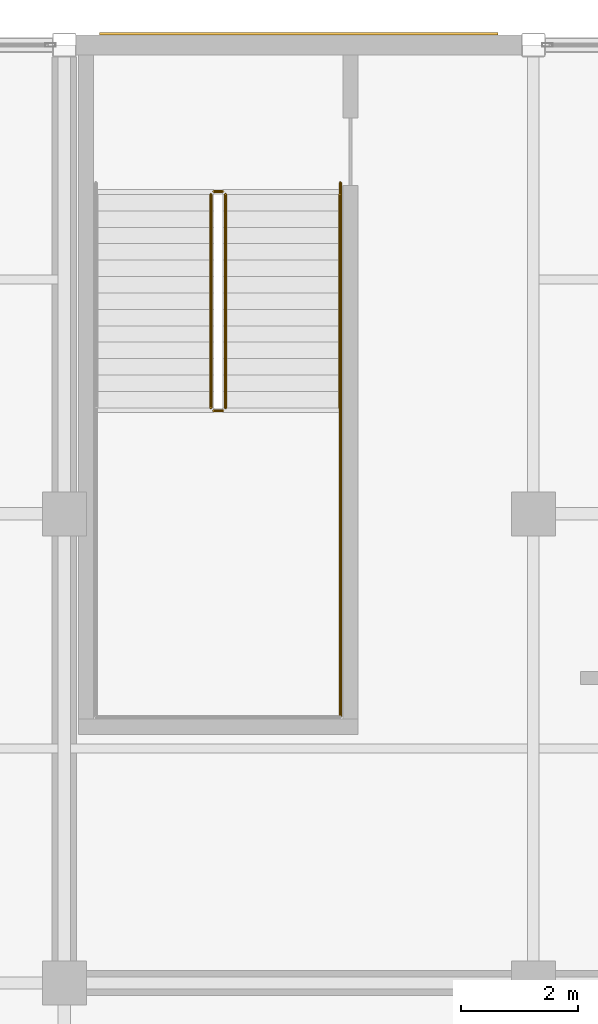
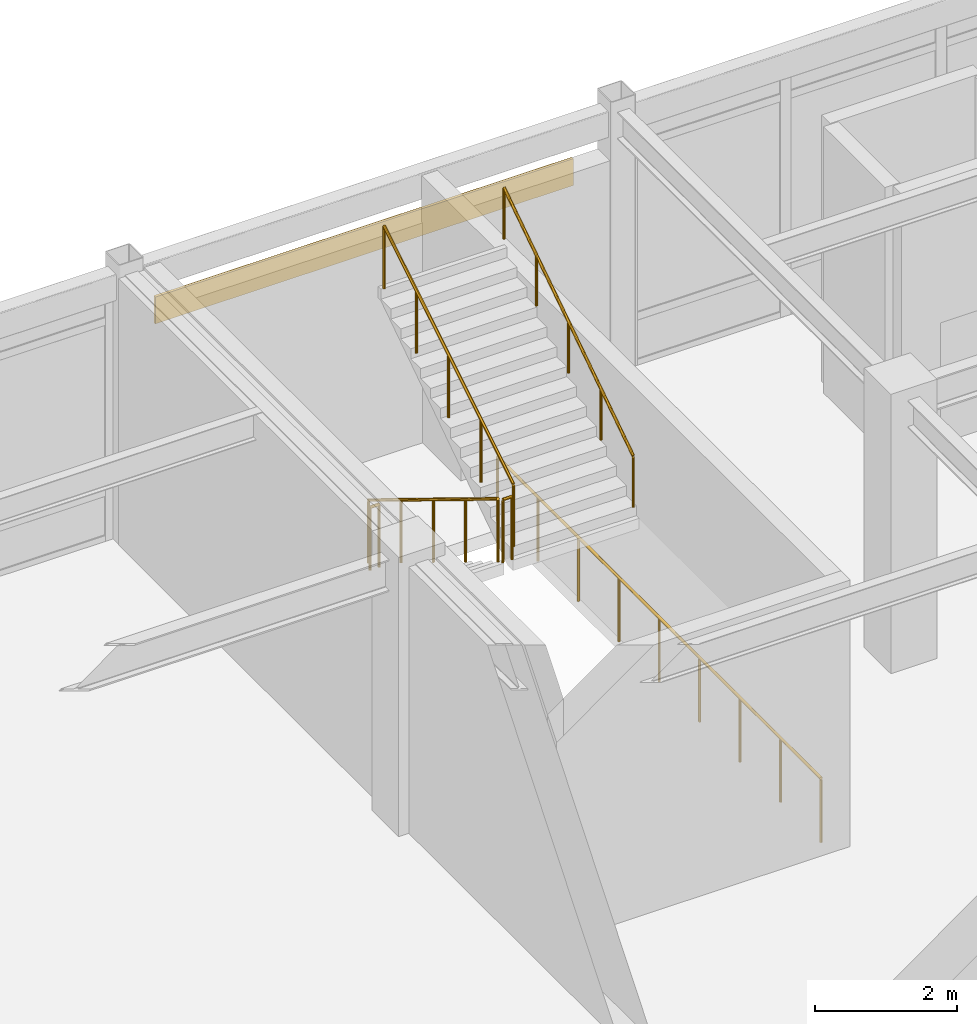
# One storey, part 112 of 117: 6 railings, 1 covering.
"""IFC4 building model written with IfcOpenShell, lengths in metres."""

from ifc_helpers import new_model, si_unit, direction, frame, origin, origin_2d, place, context, subcontext, project, spatial, rectangle, circle, extrude, material, layer, layer_set, type_object, element, save


model = new_model("IFC4")

# Units and contexts
model_context = context("Model", 3, precision=1e-05, world=origin(), true_north=direction((0.0, 1.0)))
body_context = subcontext(model_context, "Body", "Model", "MODEL_VIEW")
ifc_project = project(units=[si_unit("LENGTHUNIT", "METRE"), si_unit("AREAUNIT", "SQUARE_METRE"), si_unit("VOLUMEUNIT", "CUBIC_METRE"), si_unit("PLANEANGLEUNIT", "RADIAN"), si_unit("MASSUNIT", "GRAM", prefix="KILO")], contexts=[model_context])

# Site, building, storey
site_placement = place(None, origin())
site = spatial("IfcSite", under=ifc_project, at=site_placement, CompositionType="ELEMENT")
building_placement = place(site_placement, origin())
building = spatial("IfcBuilding", under=site, at=building_placement, Name="Solmirada Galleria", CompositionType="ELEMENT")
storey_placement = place(building_placement, frame((0.0, 0.0, 5.60009765625)))
storey = spatial("IfcBuildingStorey", under=building, at=storey_placement, Name="L01", CompositionType="ELEMENT", Elevation=5.60009765625)

# Covering
ifc_material_1 = material(Name="Limestone cladding panels", Category="masonry")
ifc_layer = layer(ifc_material_1, 0.044921875)
ifc_layer_set = layer_set([ifc_layer], Name="Limestone cladding panels")
covering_type = type_object("IfcCoveringType", Name="COV-CLAD-LIME", PredefinedType="CLADDING", material=ifc_layer_set)
covering_placement = place(storey_placement, frame((132.0, 120.1923828125, 3.2900390625), z_axis=(0.0, 0.0, 1.0), x_axis=(1.0, 0.0, 0.0)))
element("IfcCovering", 1, at=covering_placement, inside=storey, type_object=covering_type, Name="Postmodern facade cladding L01-078", PredefinedType="CLADDING", context=body_context, shape_type="SweptSolid", body=[
    extrude(rectangle(XDim=6.7939453125, YDim=0.044921875, at=origin_2d()), origin(), (0.0, 0.0, 1.0), 0.4599609375),
])

# Railings
ifc_material_2 = material(Name="Painted steel tubular railing", Category="steel")
railing_type_1 = type_object("IfcRailingType", Name="RAIL-STAIR-GUARD", PredefinedType="GUARDRAIL", material=ifc_material_2)
railing_1_placement = place(storey_placement, frame((130.5, 117.449951171875, 0.17138671875)))
element("IfcRailing", 2, at=railing_1_placement, inside=storey, type_object=railing_type_1, Name="L01 ST3 stair guard 1", PredefinedType="GUARDRAIL", context=body_context, shape_type="SweptSolid", body=[
    extrude(circle(Radius=0.02392578125, at=origin_2d()), frame((0.0, 0.0, 1.076171875), z_axis=(0.0, -0.852850264322, 0.5221555579), x_axis=(1.0, 0.0, 0.0)), (0.0, 0.0, 1.0), 4.267822265625),
    extrude(circle(Radius=0.02099609375, at=origin_2d()), origin(), (0.0, 0.0, 1.0), 1.048095703125),
    extrude(circle(Radius=0.02099609375, at=origin_2d()), frame((0.0, -0.909912109375, 0.55712890625)), (0.0, 0.0, 1.0), 1.048095703125),
    extrude(circle(Radius=0.02099609375, at=origin_2d()), frame((0.0, -1.81982421875, 1.1142578125)), (0.0, 0.0, 1.0), 1.048095703125),
    extrude(circle(Radius=0.02099609375, at=origin_2d()), frame((0.0, -2.72998046875, 1.67138671875)), (0.0, 0.0, 1.0), 1.048095703125),
    extrude(circle(Radius=0.02099609375, at=origin_2d()), frame((0.0, -3.639892578125, 2.228515625)), (0.0, 0.0, 1.0), 1.048095703125),
])
railing_2_placement = place(storey_placement, frame((130.550048828125, 113.760009765625, 2.39990234375)))
element("IfcRailing", 3, at=railing_2_placement, inside=storey, type_object=railing_type_1, Name="L01 ST3 stair guard 2", PredefinedType="GUARDRAIL", context=body_context, shape_type="SweptSolid", body=[
    extrude(circle(Radius=0.02392578125, at=origin_2d()), frame((0.0, 0.0, 1.076171875), z_axis=(1.0, 0.0, 0.0), x_axis=(0.0, 1.0, 0.0)), (0.0, 0.0, 1.0), 0.14990234375),
    extrude(circle(Radius=0.02099609375, at=origin_2d()), origin(), (0.0, 0.0, 1.0), 1.048095703125),
    extrude(circle(Radius=0.02099609375, at=origin_2d()), frame((0.14990234375, 0.0, 0.0)), (0.0, 0.0, 1.0), 1.048095703125),
])
railing_3_placement = place(storey_placement, frame((130.75, 113.81005859375, 2.5712890625)))
element("IfcRailing", 4, at=railing_3_placement, inside=storey, type_object=railing_type_1, Name="L01 ST3 stair guard 3", PredefinedType="GUARDRAIL", context=body_context, shape_type="SweptSolid", body=[
    extrude(circle(Radius=0.02392578125, at=origin_2d()), frame((0.0, 0.0, 1.076171875), z_axis=(0.0, 0.852850264322, 0.5221555579), x_axis=(-1.0, 0.0, 0.0)), (0.0, 0.0, 1.0), 4.267822265625),
    extrude(circle(Radius=0.02099609375, at=origin_2d()), origin(), (0.0, 0.0, 1.0), 1.048095703125),
    extrude(circle(Radius=0.02099609375, at=origin_2d()), frame((0.0, 0.909912109375, 0.55712890625)), (0.0, 0.0, 1.0), 1.048095703125),
    extrude(circle(Radius=0.02099609375, at=origin_2d()), frame((0.0, 1.81982421875, 1.1142578125)), (0.0, 0.0, 1.0), 1.048095703125),
    extrude(circle(Radius=0.02099609375, at=origin_2d()), frame((0.0, 2.72998046875, 1.67138671875)), (0.0, 0.0, 1.0), 1.048095703125),
    extrude(circle(Radius=0.02099609375, at=origin_2d()), frame((0.0, 3.639892578125, 2.228515625)), (0.0, 0.0, 1.0), 1.048095703125),
])
railing_4_placement = place(storey_placement, frame((130.550048828125, 117.5, 0.0)))
element("IfcRailing", 5, at=railing_4_placement, inside=storey, type_object=railing_type_1, Name="L01 ST3 stair guard 4", PredefinedType="GUARDRAIL", context=body_context, shape_type="SweptSolid", body=[
    extrude(circle(Radius=0.02392578125, at=origin_2d()), frame((0.0, 0.0, 1.076171875), z_axis=(1.0, 0.0, 0.0), x_axis=(0.0, 1.0, 0.0)), (0.0, 0.0, 1.0), 0.14990234375),
    extrude(circle(Radius=0.02099609375, at=origin_2d()), origin(), (0.0, 0.0, 1.0), 1.048095703125),
    extrude(circle(Radius=0.02099609375, at=origin_2d()), frame((0.14990234375, 0.0, 0.0)), (0.0, 0.0, 1.0), 1.048095703125),
])
railing_5_placement = place(storey_placement, frame((132.7099609375, 117.64990234375, 0.0)))
element("IfcRailing", 6, at=railing_5_placement, inside=storey, type_object=railing_type_1, Name="Stair ST3 well edge guard L01-1", PredefinedType="GUARDRAIL", context=body_context, shape_type="SweptSolid", body=[
    extrude(circle(Radius=0.02392578125, at=origin_2d()), frame((0.0, 0.0, 1.09619140625), z_axis=(0.0, -1.0, 0.0), x_axis=(1.0, 0.0, 0.0)), (0.0, 0.0, 1.0), 9.10986328125),
    extrude(circle(Radius=0.02099609375, at=origin_2d()), origin(), (0.0, 0.0, 1.0), 1.068115234375),
    extrude(circle(Radius=0.02099609375, at=origin_2d()), frame((0.0, -1.138671875, 0.0)), (0.0, 0.0, 1.0), 1.068115234375),
    extrude(circle(Radius=0.02099609375, at=origin_2d()), frame((0.0, -2.27734375, 0.0)), (0.0, 0.0, 1.0), 1.068115234375),
    extrude(circle(Radius=0.02099609375, at=origin_2d()), frame((0.0, -3.416259765625, 0.0)), (0.0, 0.0, 1.0), 1.068115234375),
    extrude(circle(Radius=0.02099609375, at=origin_2d()), frame((0.0, -4.554931640625, 0.0)), (0.0, 0.0, 1.0), 1.068115234375),
    extrude(circle(Radius=0.02099609375, at=origin_2d()), frame((0.0, -5.693603515625, 0.0)), (0.0, 0.0, 1.0), 1.068115234375),
    extrude(circle(Radius=0.02099609375, at=origin_2d()), frame((0.0, -6.83251953125, 0.0)), (0.0, 0.0, 1.0), 1.068115234375),
    extrude(circle(Radius=0.02099609375, at=origin_2d()), frame((0.0, -7.97119140625, 0.0)), (0.0, 0.0, 1.0), 1.068115234375),
    extrude(circle(Radius=0.02099609375, at=origin_2d()), frame((0.0, -9.10986328125, 0.0)), (0.0, 0.0, 1.0), 1.068115234375),
])
railing_type_2 = type_object("IfcRailingType", Name="RAIL-STAIR-HAND", PredefinedType="HANDRAIL", material=ifc_material_2)
railing_6_placement = place(storey_placement, frame((132.699951171875, 113.81005859375, 2.5712890625)))
element("IfcRailing", 7, at=railing_6_placement, inside=storey, type_object=railing_type_2, Name="L01 ST3 stair handrail 2", PredefinedType="HANDRAIL", context=body_context, shape_type="SweptSolid", body=[
    extrude(circle(Radius=0.02392578125, at=origin_2d()), frame((0.0, 0.0, 0.8759765625), z_axis=(0.0, 0.834839479206, 0.550493454965), x_axis=(-1.0, 0.0, 0.0)), (0.0, 0.0, 1.0), 4.360107421875),
    extrude(circle(Radius=0.02099609375, at=origin_2d()), origin(), (0.0, 0.0, 1.0), 0.847900390625),
    extrude(circle(Radius=0.02099609375, at=origin_2d()), frame((0.0, 0.909912109375, 0.60009765625)), (0.0, 0.0, 1.0), 0.847900390625),
    extrude(circle(Radius=0.02099609375, at=origin_2d()), frame((0.0, 1.81982421875, 1.2001953125)), (0.0, 0.0, 1.0), 0.847900390625),
    extrude(circle(Radius=0.02099609375, at=origin_2d()), frame((0.0, 2.72998046875, 1.800048828125)), (0.0, 0.0, 1.0), 0.847900390625),
    extrude(circle(Radius=0.02099609375, at=origin_2d()), frame((0.0, 3.639892578125, 2.400146484375)), (0.0, 0.0, 1.0), 0.847900390625),
])

save(model, "model.ifc")
